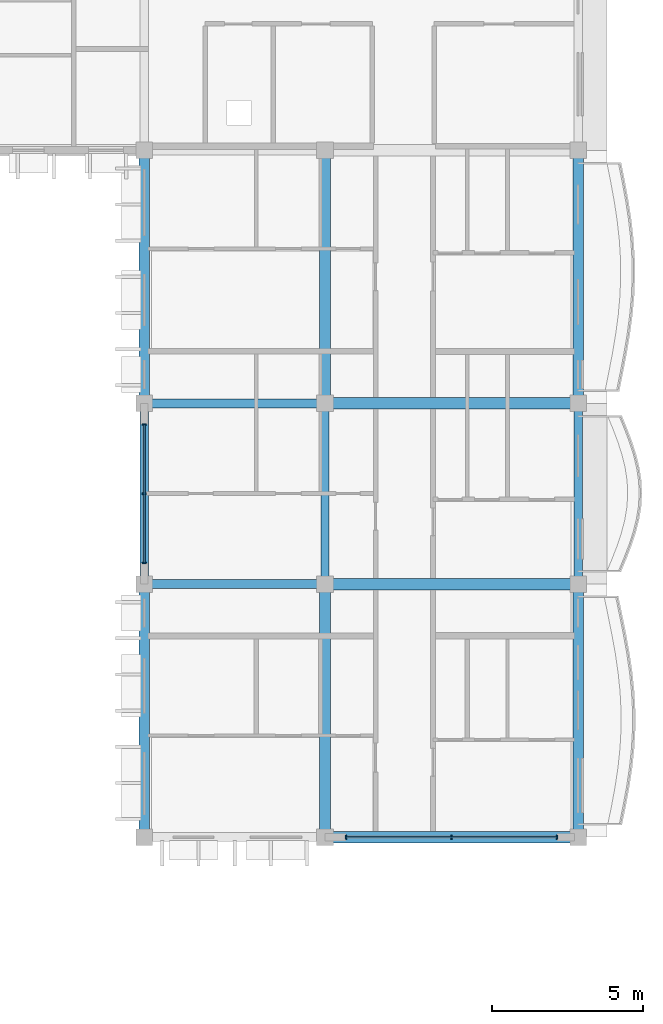
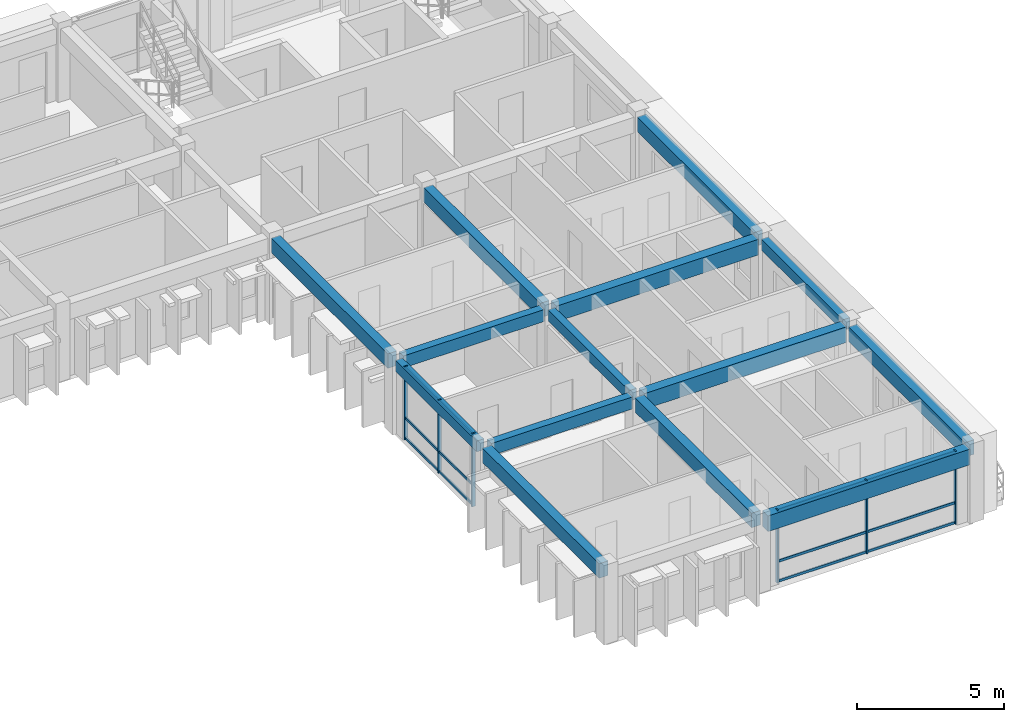
# One storey, part 6 of 31: 14 beams, 12 members, 2 elements without a shape of their own.
"""IFC4 building model written with IfcOpenShell, lengths in metres."""

from ifc_helpers import new_model, si_unit, direction, frame, origin, origin_2d, place, context, subcontext, project, spatial, rectangle, extrude, material, material_profile, profile_set, type_object, element, aggregate, save


model = new_model("IFC4")

# Units and contexts
model_context = context("Model", 3, precision=1e-05, world=origin(), true_north=direction((0.0, 1.0)))
body_context = subcontext(model_context, "Body", "Model", "MODEL_VIEW")
ifc_project = project(units=[si_unit("LENGTHUNIT", "METRE"), si_unit("AREAUNIT", "SQUARE_METRE"), si_unit("VOLUMEUNIT", "CUBIC_METRE"), si_unit("PLANEANGLEUNIT", "RADIAN"), si_unit("MASSUNIT", "GRAM", prefix="KILO"), si_unit("THERMODYNAMICTEMPERATUREUNIT", "KELVIN")], contexts=[model_context])

# Site, building, storey
site_placement = place(None, origin())
site = spatial("IfcSite", under=ifc_project, at=site_placement, CompositionType="ELEMENT")
building_placement = place(site_placement, origin())
building = spatial("IfcBuilding", under=site, at=building_placement, Name="Thalorik Housing Commons", CompositionType="ELEMENT")
storey_placement = place(building_placement, frame((0.0, 0.0, 37.800048828125)))
storey = spatial("IfcBuildingStorey", under=building, at=storey_placement, Name="L11", CompositionType="ELEMENT", Elevation=37.800048828125)

# Curtain wall, members
ifc_material_1 = material(Name="Anodised aluminium and solar-control low-E glass", Category="aluminium")
curtain_wall_type = type_object("IfcCurtainWallType", Name="ARC-CW-LOUNGE", PredefinedType="USERDEFINED", material=ifc_material_1)
curtain_wall_1_placement = place(storey_placement, origin())
curtain_wall_1 = element("IfcCurtainWall", 1, at=curtain_wall_1_placement, inside=storey, type_object=curtain_wall_type, Name="L11 Curtain Wall CW-RES-L11-B-122", ObjectType="CURTAIN WALL", PredefinedType="USERDEFINED")
ifc_material_2 = material(Name="Anodised aluminium 6063-T6", Category="aluminium")
ifc_material_profile_1 = material_profile(ifc_material_2, rectangle(XDim=0.054931640625, YDim=0.139892578125, at=origin_2d()), Name="ALU MUL 55x140", Category="aluminium")
ifc_profile_set_1 = profile_set([ifc_material_profile_1], Name="Anodised aluminium 6063-T6")
member_type_1 = type_object("IfcMemberType", Name="ARC-CW-MUL-55x140", PredefinedType="MULLION", material=ifc_profile_set_1)
member_1_placement = place(storey_placement, frame((152.39990234375, 100.10009765625, 0.0), z_axis=(0.0, 0.0, 1.0), x_axis=(0.0, -1.0, 0.0)))
member_1 = element("IfcMember", 2, at=member_1_placement, type_object=member_type_1, Name="CW-RES-L11-B-122 Mullion 1", PredefinedType="MULLION", context=body_context, shape_type="SweptSolid", body=[
    extrude(rectangle(XDim=0.054931640625, YDim=0.139892578125, at=origin_2d()), origin(), (0.0, 0.0, 1.0), 3.0400390625),
])
member_2_placement = place(storey_placement, frame((152.39990234375, 97.800048828125, 0.0), z_axis=(0.0, 0.0, 1.0), x_axis=(0.0, -1.0, 0.0)))
member_2 = element("IfcMember", 3, at=member_2_placement, type_object=member_type_1, Name="CW-RES-L11-B-122 Mullion 2", PredefinedType="MULLION", context=body_context, shape_type="SweptSolid", body=[
    extrude(rectangle(XDim=0.054931640625, YDim=0.139892578125, at=origin_2d()), origin(), (0.0, 0.0, 1.0), 3.0400390625),
])
member_3_placement = place(storey_placement, frame((152.39990234375, 95.5, 0.0), z_axis=(0.0, 0.0, 1.0), x_axis=(0.0, -1.0, 0.0)))
member_3 = element("IfcMember", 4, at=member_3_placement, type_object=member_type_1, Name="CW-RES-L11-B-122 Mullion 3", PredefinedType="MULLION", context=body_context, shape_type="SweptSolid", body=[
    extrude(rectangle(XDim=0.054931640625, YDim=0.139892578125, at=origin_2d()), origin(), (0.0, 0.0, 1.0), 3.0400390625),
])

curtain_wall_2_placement = place(storey_placement, origin())
curtain_wall_2 = element("IfcCurtainWall", 5, at=curtain_wall_2_placement, inside=storey, type_object=curtain_wall_type, Name="L11 Curtain Wall CW-RES-L11-B-123", ObjectType="CURTAIN WALL", PredefinedType="USERDEFINED")
member_4_placement = place(storey_placement, frame((159.10009765625, 86.39990234375, 0.0), z_axis=(0.0, 0.0, 1.0), x_axis=(1.0, 0.0, 0.0)))
member_4 = element("IfcMember", 6, at=member_4_placement, type_object=member_type_1, Name="CW-RES-L11-B-123 Mullion 1", PredefinedType="MULLION", context=body_context, shape_type="SweptSolid", body=[
    extrude(rectangle(XDim=0.054931640625, YDim=0.139892578125, at=origin_2d()), origin(), (0.0, 0.0, 1.0), 3.0400390625),
])
member_5_placement = place(storey_placement, frame((162.60009765625, 86.39990234375, 0.0), z_axis=(0.0, 0.0, 1.0), x_axis=(1.0, 0.0, 0.0)))
member_5 = element("IfcMember", 7, at=member_5_placement, type_object=member_type_1, Name="CW-RES-L11-B-123 Mullion 2", PredefinedType="MULLION", context=body_context, shape_type="SweptSolid", body=[
    extrude(rectangle(XDim=0.054931640625, YDim=0.139892578125, at=origin_2d()), origin(), (0.0, 0.0, 1.0), 3.0400390625),
])
member_6_placement = place(storey_placement, frame((166.10009765625, 86.39990234375, 0.0), z_axis=(0.0, 0.0, 1.0), x_axis=(1.0, 0.0, 0.0)))
member_6 = element("IfcMember", 8, at=member_6_placement, type_object=member_type_1, Name="CW-RES-L11-B-123 Mullion 3", PredefinedType="MULLION", context=body_context, shape_type="SweptSolid", body=[
    extrude(rectangle(XDim=0.054931640625, YDim=0.139892578125, at=origin_2d()), origin(), (0.0, 0.0, 1.0), 3.0400390625),
])

# Member
ifc_material_profile_2 = material_profile(ifc_material_2, rectangle(XDim=0.054931640625, YDim=0.10498046875, at=origin_2d()), Name="ALU TRN 55x105", Category="aluminium")
ifc_profile_set_2 = profile_set([ifc_material_profile_2], Name="Anodised aluminium 6063-T6")
member_type_2 = type_object("IfcMemberType", Name="ARC-CW-TRN-55x105", PredefinedType="USERDEFINED", material=ifc_profile_set_2)
member_7_placement = place(storey_placement, frame((152.39990234375, 100.10009765625, 0.054931640625), z_axis=(0.0, -1.0, 0.0), x_axis=(1.0, 0.0, 0.0)))
member_7 = element("IfcMember", 9, at=member_7_placement, type_object=member_type_2, Name="CW-RES-L11-B-122 Transom 1", ObjectType="TRANSOM", PredefinedType="USERDEFINED", context=body_context, shape_type="SweptSolid", body=[
    extrude(rectangle(XDim=0.054931640625, YDim=0.10498046875, at=origin_2d()), origin(), (0.0, 0.0, 1.0), 4.60009765625),
])

member_8_placement = place(storey_placement, frame((152.39990234375, 100.10009765625, 0.8798828125), z_axis=(0.0, -1.0, 0.0), x_axis=(1.0, 0.0, 0.0)))
member_8 = element("IfcMember", 10, at=member_8_placement, type_object=member_type_2, Name="CW-RES-L11-B-122 Transom 2", ObjectType="TRANSOM", PredefinedType="USERDEFINED", context=body_context, shape_type="SweptSolid", body=[
    extrude(rectangle(XDim=0.054931640625, YDim=0.10498046875, at=origin_2d()), origin(), (0.0, 0.0, 1.0), 4.60009765625),
])

member_9_placement = place(storey_placement, frame((152.39990234375, 100.10009765625, 2.98486328125), z_axis=(0.0, -1.0, 0.0), x_axis=(1.0, 0.0, 0.0)))
member_9 = element("IfcMember", 11, at=member_9_placement, type_object=member_type_2, Name="CW-RES-L11-B-122 Transom 3", ObjectType="TRANSOM", PredefinedType="USERDEFINED", context=body_context, shape_type="SweptSolid", body=[
    extrude(rectangle(XDim=0.054931640625, YDim=0.10498046875, at=origin_2d()), origin(), (0.0, 0.0, 1.0), 4.60009765625),
])

aggregate(curtain_wall_1, [member_1, member_2, member_3, member_7, member_8, member_9])

member_10_placement = place(storey_placement, frame((159.10009765625, 86.39990234375, 0.054931640625), z_axis=(1.0, 0.0, 0.0), x_axis=(0.0, 1.0, 0.0)))
member_10 = element("IfcMember", 12, at=member_10_placement, type_object=member_type_2, Name="CW-RES-L11-B-123 Transom 1", ObjectType="TRANSOM", PredefinedType="USERDEFINED", context=body_context, shape_type="SweptSolid", body=[
    extrude(rectangle(XDim=0.054931640625, YDim=0.10498046875, at=origin_2d()), origin(), (0.0, 0.0, 1.0), 7.0),
])

member_11_placement = place(storey_placement, frame((159.10009765625, 86.39990234375, 0.8798828125), z_axis=(1.0, 0.0, 0.0), x_axis=(0.0, 1.0, 0.0)))
member_11 = element("IfcMember", 13, at=member_11_placement, type_object=member_type_2, Name="CW-RES-L11-B-123 Transom 2", ObjectType="TRANSOM", PredefinedType="USERDEFINED", context=body_context, shape_type="SweptSolid", body=[
    extrude(rectangle(XDim=0.054931640625, YDim=0.10498046875, at=origin_2d()), origin(), (0.0, 0.0, 1.0), 7.0),
])

member_12_placement = place(storey_placement, frame((159.10009765625, 86.39990234375, 2.98486328125), z_axis=(1.0, 0.0, 0.0), x_axis=(0.0, 1.0, 0.0)))
member_12 = element("IfcMember", 14, at=member_12_placement, type_object=member_type_2, Name="CW-RES-L11-B-123 Transom 3", ObjectType="TRANSOM", PredefinedType="USERDEFINED", context=body_context, shape_type="SweptSolid", body=[
    extrude(rectangle(XDim=0.054931640625, YDim=0.10498046875, at=origin_2d()), origin(), (0.0, 0.0, 1.0), 7.0),
])

aggregate(curtain_wall_2, [member_4, member_5, member_6, member_10, member_11, member_12])

# Beams
ifc_material_3 = material(Name="Precast concrete C40/50", Category="concrete")
ifc_material_profile_3 = material_profile(ifc_material_3, rectangle(XDim=0.280029296875, YDim=0.449951171875, at=origin_2d()), Name="PC 280x450", Category="concrete")
ifc_profile_set_3 = profile_set([ifc_material_profile_3], Name="Precast concrete C40/50")
beam_type_1 = type_object("IfcBeamType", Name="STR-BM-PC280x450", PredefinedType="BEAM", material=ifc_profile_set_3)
for number, where, z_axis, x_axis, name in (
    (15, (152.39990234375, 95.02490234375, 2.81494140625), (0.0, 1.0, 0.0), (-1.0, 0.0, 0.0), "L11 Beam B-450"),
    (16, (158.39990234375, 95.02490234375, 2.81494140625), (0.0, 1.0, 0.0), (-1.0, 0.0, 0.0), "L11 Beam B-450"),
    (17, (166.800048828125, 95.02490234375, 2.81494140625), (0.0, 1.0, 0.0), (-1.0, 0.0, 0.0), "L11 Beam B-450"),
):
    element("IfcBeam", number, at=place(storey_placement, frame(where, z_axis=z_axis, x_axis=x_axis)), inside=storey, type_object=beam_type_1, Name=name, PredefinedType="BEAM", context=body_context, shape_type="SweptSolid", body=[
        extrude(rectangle(XDim=0.280029296875, YDim=0.449951171875, at=origin_2d()), origin(), (0.0, 0.0, 1.0), 5.550048828125),
    ])
ifc_material_profile_4 = material_profile(ifc_material_3, rectangle(XDim=0.300048828125, YDim=0.5, at=origin_2d()), Name="PC 300x500", Category="concrete")
ifc_profile_set_4 = profile_set([ifc_material_profile_4], Name="Precast concrete C40/50")
beam_type_2 = type_object("IfcBeamType", Name="STR-BM-PC300x500", PredefinedType="BEAM", material=ifc_profile_set_4)
for number, where, z_axis, x_axis, name in (
    (18, (152.625, 94.800048828125, 2.7900390625), (1.0, 0.0, 0.0), (0.0, 1.0, 0.0), "L11 Beam B-500"),
    (19, (152.625, 100.800048828125, 2.7900390625), (1.0, 0.0, 0.0), (0.0, 1.0, 0.0), "L11 Beam B-500"),
):
    element("IfcBeam", number, at=place(storey_placement, frame(where, z_axis=z_axis, x_axis=x_axis)), inside=storey, type_object=beam_type_2, Name=name, PredefinedType="BEAM", context=body_context, shape_type="SweptSolid", body=[
        extrude(rectangle(XDim=0.300048828125, YDim=0.5, at=origin_2d()), origin(), (0.0, 0.0, 1.0), 5.550048828125),
    ])
ifc_material_profile_5 = material_profile(ifc_material_3, rectangle(XDim=0.35009765625, YDim=0.60009765625, at=origin_2d()), Name="PC 350x600", Category="concrete")
ifc_profile_set_5 = profile_set([ifc_material_profile_5], Name="Precast concrete C40/50")
beam_type_3 = type_object("IfcBeamType", Name="STR-BM-PC350x600", PredefinedType="BEAM", material=ifc_profile_set_5)
beam_1_placement = place(storey_placement, frame((152.39990234375, 86.625, 2.739990234375), z_axis=(0.0, 1.0, 0.0), x_axis=(-1.0, 0.0, 0.0)))
element("IfcBeam", 20, at=beam_1_placement, inside=storey, type_object=beam_type_3, Name="L11 Beam B-600", PredefinedType="BEAM", context=body_context, shape_type="SweptSolid", body=[
    extrude(rectangle(XDim=0.35009765625, YDim=0.60009765625, at=origin_2d()), origin(), (0.0, 0.0, 1.0), 7.949951171875),
])
beam_2_placement = place(storey_placement, frame((152.39990234375, 101.02490234375, 2.739990234375), z_axis=(0.0, 1.0, 0.0), x_axis=(-1.0, 0.0, 0.0)))
element("IfcBeam", 21, at=beam_2_placement, inside=storey, type_object=beam_type_3, Name="L11 Beam B-600", PredefinedType="BEAM", context=body_context, shape_type="SweptSolid", body=[
    extrude(rectangle(XDim=0.35009765625, YDim=0.60009765625, at=origin_2d()), origin(), (0.0, 0.0, 1.0), 7.9501953125),
])
beam_3_placement = place(storey_placement, frame((158.39990234375, 86.625, 2.739990234375), z_axis=(0.0, 1.0, 0.0), x_axis=(-1.0, 0.0, 0.0)))
element("IfcBeam", 22, at=beam_3_placement, inside=storey, type_object=beam_type_3, Name="L11 Beam B-600", PredefinedType="BEAM", context=body_context, shape_type="SweptSolid", body=[
    extrude(rectangle(XDim=0.35009765625, YDim=0.60009765625, at=origin_2d()), origin(), (0.0, 0.0, 1.0), 7.949951171875),
])
beam_4_placement = place(storey_placement, frame((158.39990234375, 101.02490234375, 2.739990234375), z_axis=(0.0, 1.0, 0.0), x_axis=(-1.0, 0.0, 0.0)))
element("IfcBeam", 23, at=beam_4_placement, inside=storey, type_object=beam_type_3, Name="L11 Beam B-600", PredefinedType="BEAM", context=body_context, shape_type="SweptSolid", body=[
    extrude(rectangle(XDim=0.35009765625, YDim=0.60009765625, at=origin_2d()), origin(), (0.0, 0.0, 1.0), 7.9501953125),
])
beam_5_placement = place(storey_placement, frame((166.800048828125, 86.625, 2.739990234375), z_axis=(0.0, 1.0, 0.0), x_axis=(-1.0, 0.0, 0.0)))
element("IfcBeam", 24, at=beam_5_placement, inside=storey, type_object=beam_type_3, Name="L11 Beam B-600", PredefinedType="BEAM", context=body_context, shape_type="SweptSolid", body=[
    extrude(rectangle(XDim=0.35009765625, YDim=0.60009765625, at=origin_2d()), origin(), (0.0, 0.0, 1.0), 7.949951171875),
])
beam_6_placement = place(storey_placement, frame((166.800048828125, 101.02490234375, 2.739990234375), z_axis=(0.0, 1.0, 0.0), x_axis=(-1.0, 0.0, 0.0)))
element("IfcBeam", 25, at=beam_6_placement, inside=storey, type_object=beam_type_3, Name="L11 Beam B-600", PredefinedType="BEAM", context=body_context, shape_type="SweptSolid", body=[
    extrude(rectangle(XDim=0.35009765625, YDim=0.60009765625, at=origin_2d()), origin(), (0.0, 0.0, 1.0), 7.9501953125),
])
ifc_material_profile_6 = material_profile(ifc_material_3, rectangle(XDim=0.3798828125, YDim=0.64990234375, at=origin_2d()), Name="PC 380x650", Category="concrete")
ifc_profile_set_6 = profile_set([ifc_material_profile_6], Name="Precast concrete C40/50")
beam_type_4 = type_object("IfcBeamType", Name="STR-BM-PC380x650", PredefinedType="BEAM", material=ifc_profile_set_6)
for number, where, z_axis, x_axis, name in (
    (26, (158.625, 86.39990234375, 2.71484375), (1.0, 0.0, 0.0), (0.0, 1.0, 0.0), "L11 Beam B-650"),
    (27, (158.625, 94.800048828125, 2.71484375), (1.0, 0.0, 0.0), (0.0, 1.0, 0.0), "L11 Beam B-650"),
    (28, (158.625, 100.800048828125, 2.71484375), (1.0, 0.0, 0.0), (0.0, 1.0, 0.0), "L11 Beam B-650"),
):
    element("IfcBeam", number, at=place(storey_placement, frame(where, z_axis=z_axis, x_axis=x_axis)), inside=storey, type_object=beam_type_4, Name=name, PredefinedType="BEAM", context=body_context, shape_type="SweptSolid", body=[
        extrude(rectangle(XDim=0.3798828125, YDim=0.64990234375, at=origin_2d()), origin(), (0.0, 0.0, 1.0), 7.949951171875),
    ])

save(model, "model.ifc")
